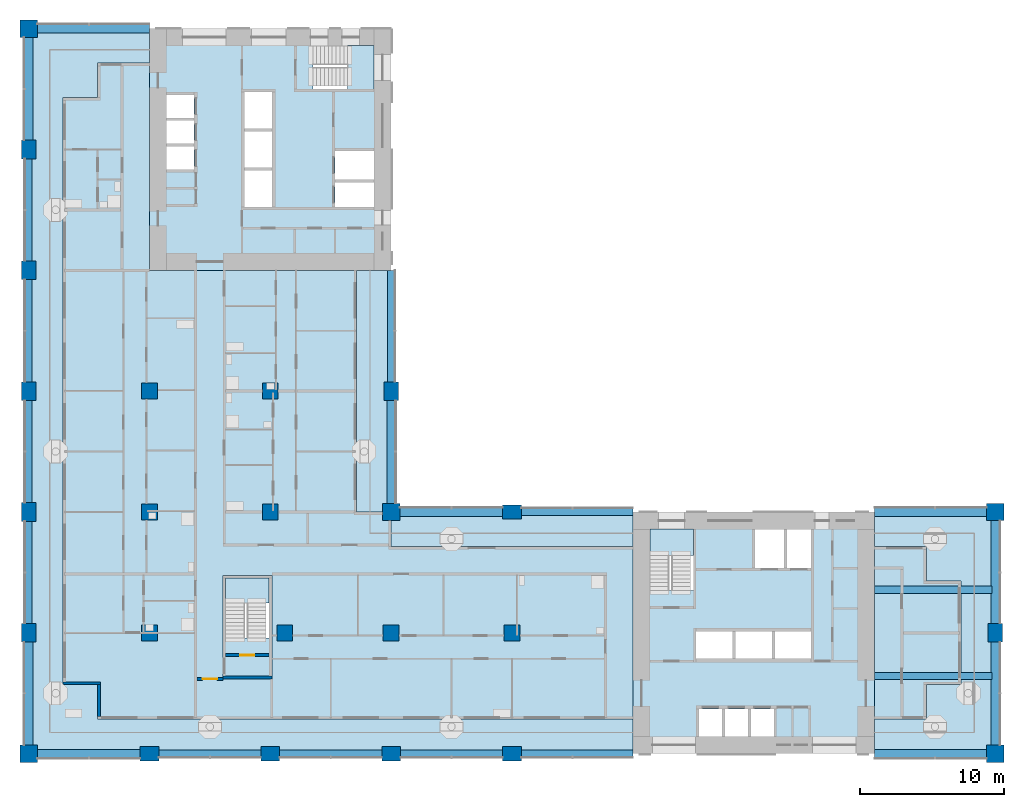
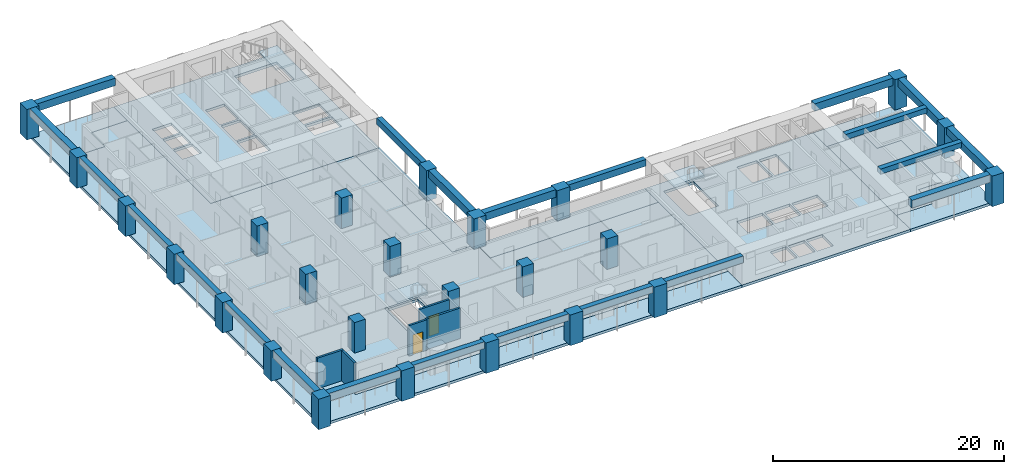
# One storey, part 1 of 18: 25 columns, 22 beams, 12 slabs, 5 walls, 2 doors, 2 openings, 3 elements without a shape of their own.
"""IFC4 building model written with IfcOpenShell, lengths in metres."""

from ifc_helpers import new_model, si_unit, direction, frame, frame_2d, origin, origin_2d, place, context, subcontext, project, spatial, polyline, rectangle, outline, extrude, material, layer, layer_set, material_profile, profile_set, type_object, element, fill, aggregate, save


model = new_model("IFC4")

# Units and contexts
model_context = context("Model", 3, precision=1e-05, world=origin(), true_north=direction((0.0, 1.0)))
body_context = subcontext(model_context, "Body", "Model", "MODEL_VIEW")
ifc_project = project(units=[si_unit("LENGTHUNIT", "METRE"), si_unit("AREAUNIT", "SQUARE_METRE"), si_unit("VOLUMEUNIT", "CUBIC_METRE"), si_unit("PLANEANGLEUNIT", "RADIAN"), si_unit("MASSUNIT", "GRAM", prefix="KILO")], contexts=[model_context])

# Site, building, storey
site_placement = place(None, origin())
site = spatial("IfcSite", under=ifc_project, at=site_placement, CompositionType="ELEMENT")
building_placement = place(site_placement, origin())
building = spatial("IfcBuilding", under=site, at=building_placement, Name="Vermilion Gate Residences", CompositionType="ELEMENT")
storey_placement = place(building_placement, frame((0.0, 0.0, 84.699951171875)))
storey = spatial("IfcBuildingStorey", under=building, at=storey_placement, Name="L20", CompositionType="ELEMENT", Elevation=84.699951171875)

# Columns
ifc_material_1 = material(Name="Concrete C70", Category="concrete")
ifc_material_profile_1 = material_profile(ifc_material_1, rectangle(XDim=1.10009765625, YDim=1.10009765625, at=origin_2d()), Name="RC-1100x1100")
ifc_profile_set_1 = profile_set([ifc_material_profile_1], Name="Concrete C70")
column_type_1 = type_object("IfcColumnType", Name="RC COLUMN 1100 X 1100 C70", PredefinedType="COLUMN", material=ifc_profile_set_1)
for number, where, z_axis, x_axis, name in (
    (1, (8.39990234375, 16.800048828125, 0.0), (0.0, 0.0, 1.0), (1.0, 0.0, 0.0), "Column 2-C L20"),
    (2, (8.39990234375, 25.199951171875, 0.0), (0.0, 0.0, 1.0), (1.0, 0.0, 0.0), "Column 2-D L20"),
    (3, (8.39990234375, 33.60009765625, 0.0), (0.0, 0.0, 1.0), (1.0, 0.0, 0.0), "Column 2-E L20"),
    (4, (17.800048828125, 16.800048828125, 0.0), (0.0, 0.0, 1.0), (1.0, 0.0, 0.0), "Column 3-C L20"),
    (5, (16.800048828125, 25.199951171875, 0.0), (0.0, 0.0, 1.0), (1.0, 0.0, 0.0), "Column 3-D L20"),
    (6, (16.800048828125, 33.60009765625, 0.0), (0.0, 0.0, 1.0), (1.0, 0.0, 0.0), "Column 3-E L20"),
    (7, (25.199951171875, 16.800048828125, 0.0), (0.0, 0.0, 1.0), (1.0, 0.0, 0.0), "Column 4-C L20"),
    (8, (33.60009765625, 16.800048828125, 0.0), (0.0, 0.0, 1.0), (1.0, 0.0, 0.0), "Column 5-C L20"),
):
    element("IfcColumn", number, at=place(storey_placement, frame(where, z_axis=z_axis, x_axis=x_axis)), inside=storey, type_object=column_type_1, Name=name, PredefinedType="COLUMN", context=body_context, shape_type="SweptSolid", body=[
        extrude(rectangle(XDim=1.10009765625, YDim=1.10009765625, at=origin_2d()), origin(), (0.0, 0.0, 1.0), 3.219970703125),
    ])
ifc_material_2 = material(Name="Concrete C70", Category="concrete")
ifc_material_profile_2 = material_profile(ifc_material_2, rectangle(XDim=1.199951171875, YDim=1.199951171875, at=origin_2d()), Name="RC-1200x1200")
ifc_profile_set_2 = profile_set([ifc_material_profile_2], Name="Concrete C70")
column_type_2 = type_object("IfcColumnType", Name="RC COLUMN 1200 X 1200 C70", PredefinedType="COLUMN", material=ifc_profile_set_2)
for number, where, z_axis, x_axis, name in (
    (9, (0.0, 8.39990234375, 0.0), (0.0, 0.0, 1.0), (1.0, 0.0, 0.0), "Column 1-B L20"),
    (10, (0.0, 58.800048828125, 0.0), (0.0, 0.0, 1.0), (1.0, 0.0, 0.0), "Column 1-H L20"),
    (11, (25.199951171875, 25.199951171875, 0.0), (0.0, 0.0, 1.0), (1.0, 0.0, 0.0), "Column 4-D L20"),
    (12, (67.199951171875, 8.39990234375, 0.0), (0.0, 0.0, 1.0), (1.0, 0.0, 0.0), "Column 9-B L20"),
    (13, (67.199951171875, 25.199951171875, 0.0), (0.0, 0.0, 1.0), (1.0, 0.0, 0.0), "Column 9-D L20"),
):
    element("IfcColumn", number, at=place(storey_placement, frame(where, z_axis=z_axis, x_axis=x_axis)), inside=storey, type_object=column_type_2, Name=name, PredefinedType="COLUMN", context=body_context, shape_type="SweptSolid", body=[
        extrude(rectangle(XDim=1.199951171875, YDim=1.199951171875, at=origin_2d()), origin(), (0.0, 0.0, 1.0), 3.219970703125),
    ])
ifc_material_3 = material(Name="Concrete C70", Category="concrete")
ifc_material_profile_3 = material_profile(ifc_material_3, rectangle(XDim=1.300048828125, YDim=1.0, at=origin_2d()), Name="RC-1300x1000")
ifc_profile_set_3 = profile_set([ifc_material_profile_3], Name="Concrete C70")
column_type_3 = type_object("IfcColumnType", Name="RC COLUMN 1300 X 1000 C70", PredefinedType="COLUMN", material=ifc_profile_set_3)
for number, where, z_axis, x_axis, name in (
    (14, (0.0, 16.800048828125, 0.0), (0.0, 0.0, 1.0), (0.0, 1.0, 0.0), "Column 1-C L20"),
    (15, (0.0, 25.199951171875, 0.0), (0.0, 0.0, 1.0), (0.0, 1.0, 0.0), "Column 1-D L20"),
    (16, (0.0, 33.60009765625, 0.0), (0.0, 0.0, 1.0), (0.0, 1.0, 0.0), "Column 1-E L20"),
    (17, (0.0, 42.0, 0.0), (0.0, 0.0, 1.0), (0.0, 1.0, 0.0), "Column 1-F L20"),
    (18, (0.0, 50.39990234375, 0.0), (0.0, 0.0, 1.0), (0.0, 1.0, 0.0), "Column 1-G L20"),
    (19, (8.39990234375, 8.39990234375, 0.0), (0.0, 0.0, 1.0), (1.0, 0.0, 0.0), "Column 2-B L20"),
    (20, (16.800048828125, 8.39990234375, 0.0), (0.0, 0.0, 1.0), (1.0, 0.0, 0.0), "Column 3-B L20"),
    (21, (25.199951171875, 8.39990234375, 0.0), (0.0, 0.0, 1.0), (1.0, 0.0, 0.0), "Column 4-B L20"),
    (22, (25.199951171875, 33.60009765625, 0.0), (0.0, 0.0, 1.0), (0.0, 1.0, 0.0), "Column 4-E L20"),
    (23, (33.60009765625, 8.39990234375, 0.0), (0.0, 0.0, 1.0), (1.0, 0.0, 0.0), "Column 5-B L20"),
    (24, (33.60009765625, 25.199951171875, 0.0), (0.0, 0.0, 1.0), (1.0, 0.0, 0.0), "Column 5-D L20"),
    (25, (67.199951171875, 16.800048828125, 0.0), (0.0, 0.0, 1.0), (0.0, 1.0, 0.0), "Column 9-C L20"),
):
    element("IfcColumn", number, at=place(storey_placement, frame(where, z_axis=z_axis, x_axis=x_axis)), inside=storey, type_object=column_type_3, Name=name, PredefinedType="COLUMN", context=body_context, shape_type="SweptSolid", body=[
        extrude(rectangle(XDim=1.300048828125, YDim=1.0, at=origin_2d()), origin(), (0.0, 0.0, 1.0), 3.219970703125),
    ])

# Beams
ifc_material_4 = material(Name="Concrete C60 red-oxide pigmented", Category="concrete")
ifc_material_profile_4 = material_profile(ifc_material_4, rectangle(XDim=0.60009765625, YDim=0.800048828125, at=origin_2d()), Name="RC-600x800")
ifc_profile_set_4 = profile_set([ifc_material_profile_4], Name="Concrete C60 red-oxide pigmented")
beam_type_1 = type_object("IfcBeamType", Name="RC CORNER EDGE BEAM 600 X 800 C60", PredefinedType="BEAM", material=ifc_profile_set_4)
for number, where, z_axis, x_axis, name in (
    (26, (0.60009765625, 8.39990234375, 2.820068359375), (1.0, 0.0, 0.0), (0.0, 1.0, 0.0), "Corner edge beam L20 1"),
    (27, (0.0, 9.0, 2.820068359375), (0.0, 1.0, 0.0), (-1.0, 0.0, 0.0), "Corner edge beam L20 2"),
):
    element("IfcBeam", number, at=place(storey_placement, frame(where, z_axis=z_axis, x_axis=x_axis)), inside=storey, type_object=beam_type_1, Name=name, PredefinedType="BEAM", context=body_context, shape_type="SweptSolid", body=[
        extrude(rectangle(XDim=0.60009765625, YDim=0.800048828125, at=origin_2d()), origin(), (0.0, 0.0, 1.0), 7.14990234375),
    ])
beam_1_placement = place(storey_placement, frame((0.60009765625, 58.800048828125, 2.820068359375), z_axis=(1.0, 0.0, 0.0), x_axis=(0.0, 1.0, 0.0)))
element("IfcBeam", 28, at=beam_1_placement, inside=storey, type_object=beam_type_1, Name="Corner edge beam L20 7", PredefinedType="BEAM", context=body_context, shape_type="SweptSolid", body=[
    extrude(rectangle(XDim=0.60009765625, YDim=0.800048828125, at=origin_2d()), origin(), (0.0, 0.0, 1.0), 7.7998046875),
])
for number, where, z_axis, x_axis, name in (
    (29, (0.0, 51.050048828125, 2.820068359375), (0.0, 1.0, 0.0), (-1.0, 0.0, 0.0), "Corner edge beam L20 8"),
    (30, (25.199951171875, 25.800048828125, 2.820068359375), (0.0, 1.0, 0.0), (-1.0, 0.0, 0.0), "Corner edge beam L20 11"),
    (31, (25.800048828125, 25.199951171875, 2.820068359375), (1.0, 0.0, 0.0), (0.0, 1.0, 0.0), "Corner edge beam L20 14"),
):
    element("IfcBeam", number, at=place(storey_placement, frame(where, z_axis=z_axis, x_axis=x_axis)), inside=storey, type_object=beam_type_1, Name=name, PredefinedType="BEAM", context=body_context, shape_type="SweptSolid", body=[
        extrude(rectangle(XDim=0.60009765625, YDim=0.800048828125, at=origin_2d()), origin(), (0.0, 0.0, 1.0), 7.14990234375),
    ])
beam_2_placement = place(storey_placement, frame((58.800048828125, 8.39990234375, 2.820068359375), z_axis=(1.0, 0.0, 0.0), x_axis=(0.0, 1.0, 0.0)))
element("IfcBeam", 32, at=beam_2_placement, inside=storey, type_object=beam_type_1, Name="Corner edge beam L20 17", PredefinedType="BEAM", context=body_context, shape_type="SweptSolid", body=[
    extrude(rectangle(XDim=0.60009765625, YDim=0.800048828125, at=origin_2d()), origin(), (0.0, 0.0, 1.0), 7.800048828125),
])
beam_3_placement = place(storey_placement, frame((67.199951171875, 9.0, 2.820068359375), z_axis=(0.0, 1.0, 0.0), x_axis=(-1.0, 0.0, 0.0)))
element("IfcBeam", 33, at=beam_3_placement, inside=storey, type_object=beam_type_1, Name="Corner edge beam L20 18", PredefinedType="BEAM", context=body_context, shape_type="SweptSolid", body=[
    extrude(rectangle(XDim=0.60009765625, YDim=0.800048828125, at=origin_2d()), origin(), (0.0, 0.0, 1.0), 7.14990234375),
])
beam_4_placement = place(storey_placement, frame((67.199951171875, 17.449951171875, 2.820068359375), z_axis=(0.0, 1.0, 0.0), x_axis=(-1.0, 0.0, 0.0)))
element("IfcBeam", 34, at=beam_4_placement, inside=storey, type_object=beam_type_1, Name="Corner edge beam L20 19", PredefinedType="BEAM", context=body_context, shape_type="SweptSolid", body=[
    extrude(rectangle(XDim=0.60009765625, YDim=0.800048828125, at=origin_2d()), origin(), (0.0, 0.0, 1.0), 7.150146484375),
])
beam_5_placement = place(storey_placement, frame((58.800048828125, 25.199951171875, 2.820068359375), z_axis=(1.0, 0.0, 0.0), x_axis=(0.0, 1.0, 0.0)))
element("IfcBeam", 35, at=beam_5_placement, inside=storey, type_object=beam_type_1, Name="Corner edge beam L20 20", PredefinedType="BEAM", context=body_context, shape_type="SweptSolid", body=[
    extrude(rectangle(XDim=0.60009765625, YDim=0.800048828125, at=origin_2d()), origin(), (0.0, 0.0, 1.0), 7.800048828125),
])
ifc_material_5 = material(Name="Concrete C60 red-oxide pigmented", Category="concrete")
ifc_material_profile_5 = material_profile(ifc_material_5, rectangle(XDim=0.5, YDim=0.699951171875, at=origin_2d()), Name="RC-500x700")
ifc_profile_set_5 = profile_set([ifc_material_profile_5], Name="Concrete C60 red-oxide pigmented")
beam_type_2 = type_object("IfcBeamType", Name="RC EDGE BEAM 500 X 700 C60", PredefinedType="BEAM", material=ifc_profile_set_5)
beam_6_placement = place(storey_placement, frame((0.0, 17.449951171875, 2.8701171875), z_axis=(0.0, 1.0, 0.0), x_axis=(-1.0, 0.0, 0.0)))
element("IfcBeam", 36, at=beam_6_placement, inside=storey, type_object=beam_type_2, Name="Edge beam L20 3", PredefinedType="BEAM", context=body_context, shape_type="SweptSolid", body=[
    extrude(rectangle(XDim=0.5, YDim=0.699951171875, at=origin_2d()), origin(), (0.0, 0.0, 1.0), 7.10009765625),
])
beam_7_placement = place(storey_placement, frame((0.0, 25.85009765625, 2.8701171875), z_axis=(0.0, 1.0, 0.0), x_axis=(-1.0, 0.0, 0.0)))
element("IfcBeam", 37, at=beam_7_placement, inside=storey, type_object=beam_type_2, Name="Edge beam L20 4", PredefinedType="BEAM", context=body_context, shape_type="SweptSolid", body=[
    extrude(rectangle(XDim=0.5, YDim=0.699951171875, at=origin_2d()), origin(), (0.0, 0.0, 1.0), 7.099853515625),
])
for number, where, z_axis, x_axis, name in (
    (38, (0.0, 34.25, 2.8701171875), (0.0, 1.0, 0.0), (-1.0, 0.0, 0.0), "Edge beam L20 5"),
    (39, (0.0, 42.64990234375, 2.8701171875), (0.0, 1.0, 0.0), (-1.0, 0.0, 0.0), "Edge beam L20 6"),
):
    element("IfcBeam", number, at=place(storey_placement, frame(where, z_axis=z_axis, x_axis=x_axis)), inside=storey, type_object=beam_type_2, Name=name, PredefinedType="BEAM", context=body_context, shape_type="SweptSolid", body=[
        extrude(rectangle(XDim=0.5, YDim=0.699951171875, at=origin_2d()), origin(), (0.0, 0.0, 1.0), 7.10009765625),
    ])
beam_8_placement = place(storey_placement, frame((9.050048828125, 8.39990234375, 2.8701171875), z_axis=(1.0, 0.0, 0.0), x_axis=(0.0, 1.0, 0.0)))
element("IfcBeam", 40, at=beam_8_placement, inside=storey, type_object=beam_type_2, Name="Edge beam L20 9", PredefinedType="BEAM", context=body_context, shape_type="SweptSolid", body=[
    extrude(rectangle(XDim=0.5, YDim=0.699951171875, at=origin_2d()), origin(), (0.0, 0.0, 1.0), 7.099853515625),
])
beam_9_placement = place(storey_placement, frame((17.449951171875, 8.39990234375, 2.8701171875), z_axis=(1.0, 0.0, 0.0), x_axis=(0.0, 1.0, 0.0)))
element("IfcBeam", 41, at=beam_9_placement, inside=storey, type_object=beam_type_2, Name="Edge beam L20 10", PredefinedType="BEAM", context=body_context, shape_type="SweptSolid", body=[
    extrude(rectangle(XDim=0.5, YDim=0.699951171875, at=origin_2d()), origin(), (0.0, 0.0, 1.0), 7.10009765625),
])
beam_10_placement = place(storey_placement, frame((25.199951171875, 34.25, 2.8701171875), z_axis=(0.0, 1.0, 0.0), x_axis=(-1.0, 0.0, 0.0)))
element("IfcBeam", 42, at=beam_10_placement, inside=storey, type_object=beam_type_2, Name="Edge beam L20 12", PredefinedType="BEAM", context=body_context, shape_type="SweptSolid", body=[
    extrude(rectangle(XDim=0.5, YDim=0.699951171875, at=origin_2d()), origin(), (0.0, 0.0, 1.0), 7.75),
])
beam_11_placement = place(storey_placement, frame((25.85009765625, 8.39990234375, 2.8701171875), z_axis=(1.0, 0.0, 0.0), x_axis=(0.0, 1.0, 0.0)))
element("IfcBeam", 43, at=beam_11_placement, inside=storey, type_object=beam_type_2, Name="Edge beam L20 13", PredefinedType="BEAM", context=body_context, shape_type="SweptSolid", body=[
    extrude(rectangle(XDim=0.5, YDim=0.699951171875, at=origin_2d()), origin(), (0.0, 0.0, 1.0), 7.099853515625),
])
for number, where, z_axis, x_axis, name in (
    (44, (34.25, 8.39990234375, 2.8701171875), (1.0, 0.0, 0.0), (0.0, 1.0, 0.0), "Edge beam L20 15"),
    (45, (34.25, 25.199951171875, 2.8701171875), (1.0, 0.0, 0.0), (0.0, 1.0, 0.0), "Edge beam L20 16"),
):
    element("IfcBeam", number, at=place(storey_placement, frame(where, z_axis=z_axis, x_axis=x_axis)), inside=storey, type_object=beam_type_2, Name=name, PredefinedType="BEAM", context=body_context, shape_type="SweptSolid", body=[
        extrude(rectangle(XDim=0.5, YDim=0.699951171875, at=origin_2d()), origin(), (0.0, 0.0, 1.0), 7.75),
    ])
ifc_material_6 = material(Name="Concrete C60", Category="concrete")
ifc_material_profile_6 = material_profile(ifc_material_6, rectangle(XDim=0.5, YDim=0.550048828125, at=origin_2d()), Name="RC-500x550")
ifc_profile_set_6 = profile_set([ifc_material_profile_6], Name="Concrete C60")
beam_type_3 = type_object("IfcBeamType", Name="RC WING BEAM 500 X 550 C60", PredefinedType="BEAM", material=ifc_profile_set_6)
for number, where, z_axis, x_axis, name in (
    (46, (58.800048828125, 13.800048828125, 2.945068359375), (1.0, 0.0, 0.0), (0.0, 1.0, 0.0), "Wing-end beam L20 1"),
    (47, (58.800048828125, 19.800048828125, 2.945068359375), (1.0, 0.0, 0.0), (0.0, 1.0, 0.0), "Wing-end beam L20 2"),
):
    element("IfcBeam", number, at=place(storey_placement, frame(where, z_axis=z_axis, x_axis=x_axis)), inside=storey, type_object=beam_type_3, Name=name, PredefinedType="BEAM", context=body_context, shape_type="SweptSolid", body=[
        extrude(rectangle(XDim=0.5, YDim=0.550048828125, at=origin_2d()), origin(), (0.0, 0.0, 1.0), 8.14990234375),
    ])

# Slabs
ifc_material_7 = material(Name="Concrete C50", Category="concrete")
ifc_layer_1 = layer(ifc_material_7, 0.280029296875)
ifc_layer_set_1 = layer_set([ifc_layer_1], Name="RC CORE FLOOR SLAB 280 C50")
slab_type_1 = type_object("IfcSlabType", Name="RC CORE FLOOR SLAB 280 C50", PredefinedType="FLOOR", material=ifc_layer_set_1)
slab_1_placement = place(storey_placement, frame((0.0, 0.0, -0.280029296875)))
element("IfcSlab", 48, at=slab_1_placement, inside=storey, type_object=slab_type_1, Name="Core floor slab A20", PredefinedType="FLOOR", context=body_context, shape_type="SweptSolid", body=[
    extrude(outline(polyline([(42.0, 8.39990234375), (58.800048828125, 8.39990234375), (58.800048828125, 25.199951171875), (42.0, 25.199951171875), (42.0, 8.39990234375)]), holes=[polyline([(46.60009765625, 11.5), (48.199951171875, 11.5), (48.199951171875, 9.60009765625), (46.60009765625, 9.60009765625), (46.60009765625, 11.5)]), polyline([(48.39990234375, 11.5), (50.0, 11.5), (50.0, 9.60009765625), (48.39990234375, 9.60009765625), (48.39990234375, 11.5)]), polyline([(50.199951171875, 11.5), (51.800048828125, 11.5), (51.800048828125, 9.60009765625), (50.199951171875, 9.60009765625), (50.199951171875, 11.5)]), polyline([(46.39990234375, 16.89990234375), (48.933349609375, 16.89990234375), (48.933349609375, 15.0), (46.39990234375, 15.0), (46.39990234375, 16.89990234375)]), polyline([(49.13330078125, 16.89990234375), (51.666748046875, 16.89990234375), (51.666748046875, 15.0), (49.13330078125, 15.0), (49.13330078125, 16.89990234375)]), polyline([(51.86669921875, 16.89990234375), (54.39990234375, 16.89990234375), (54.39990234375, 15.0), (51.86669921875, 15.0), (51.86669921875, 16.89990234375)]), polyline([(43.199951171875, 24.0), (46.199951171875, 24.0), (46.199951171875, 19.75), (43.199951171875, 19.75), (43.199951171875, 24.0)]), polyline([(52.5, 24.0), (52.5, 21.300048828125), (50.5, 21.300048828125), (50.5, 24.0), (52.5, 24.0)]), polyline([(54.39990234375, 24.0), (54.39990234375, 21.300048828125), (52.699951171875, 21.300048828125), (52.699951171875, 24.0), (54.39990234375, 24.0)])]), origin(), (0.0, 0.0, 1.0), 0.280029296875),
])
slab_2_placement = place(storey_placement, frame((0.0, 0.0, -0.280029296875)))
element("IfcSlab", 49, at=slab_2_placement, inside=storey, type_object=slab_type_1, Name="Core floor slab B20", PredefinedType="FLOOR", context=body_context, shape_type="SweptSolid", body=[
    extrude(outline(polyline([(8.39990234375, 42.0), (25.199951171875, 42.0), (25.199951171875, 58.800048828125), (8.39990234375, 58.800048828125), (8.39990234375, 42.0)]), holes=[polyline([(21.300048828125, 48.10009765625), (24.0, 48.10009765625), (24.0, 46.39990234375), (21.300048828125, 46.39990234375), (21.300048828125, 48.10009765625)]), polyline([(15.0, 48.933349609375), (16.89990234375, 48.933349609375), (16.89990234375, 46.39990234375), (15.0, 46.39990234375), (15.0, 48.933349609375)]), polyline([(21.300048828125, 50.300048828125), (24.0, 50.300048828125), (24.0, 48.300048828125), (21.300048828125, 48.300048828125), (21.300048828125, 50.300048828125)]), polyline([(9.60009765625, 50.60009765625), (11.5, 50.60009765625), (11.5, 49.0), (9.60009765625, 49.0), (9.60009765625, 50.60009765625)]), polyline([(15.0, 51.666748046875), (16.89990234375, 51.666748046875), (16.89990234375, 49.13330078125), (15.0, 49.13330078125), (15.0, 51.666748046875)]), polyline([(9.60009765625, 52.39990234375), (11.5, 52.39990234375), (11.5, 50.800048828125), (9.60009765625, 50.800048828125), (9.60009765625, 52.39990234375)]), polyline([(15.0, 54.39990234375), (16.89990234375, 54.39990234375), (16.89990234375, 51.86669921875), (15.0, 51.86669921875), (15.0, 54.39990234375)]), polyline([(11.5, 54.199951171875), (11.5, 52.60009765625), (9.60009765625, 52.60009765625), (9.60009765625, 54.199951171875), (11.5, 54.199951171875)]), polyline([(24.0, 57.60009765625), (24.0, 54.60009765625), (19.75, 54.60009765625), (19.75, 57.60009765625), (24.0, 57.60009765625)])]), origin(), (0.0, 0.0, 1.0), 0.280029296875),
])
slab_3_placement = place(storey_placement, frame((0.0, 0.0, -0.280029296875)))
element("IfcSlab", 50, at=slab_3_placement, inside=storey, type_object=slab_type_1, Name="Apex stair floor slab 20", PredefinedType="FLOOR", context=body_context, shape_type="SweptSolid", body=[
    extrude(outline(polyline([(13.5, 13.60009765625), (16.89990234375, 13.60009765625), (16.89990234375, 20.800048828125), (13.5, 20.800048828125), (13.5, 13.60009765625)]), holes=[polyline([(16.699951171875, 20.60009765625), (16.699951171875, 16.449951171875), (13.699951171875, 16.449951171875), (13.699951171875, 20.60009765625), (16.699951171875, 20.60009765625)])]), origin(), (0.0, 0.0, 1.0), 0.280029296875),
])
ifc_material_8 = material(Name="Concrete C50", Category="concrete")
ifc_layer_2 = layer(ifc_material_8, 0.280029296875)
ifc_layer_set_2 = layer_set([ifc_layer_2], Name="RC FLAT PLATE 280 C50")
slab_type_2 = type_object("IfcSlabType", Name="RC FLAT PLATE 280 C50", PredefinedType="FLOOR", material=ifc_layer_set_2)
slab_4_placement = place(storey_placement, frame((0.0, 0.0, -0.280029296875)))
element("IfcSlab", 51, at=slab_4_placement, inside=storey, type_object=slab_type_2, Name="Floor slab L20", PredefinedType="FLOOR", context=body_context, shape_type="SweptSolid", body=[
    extrude(outline(polyline([(22.800048828125, 25.199951171875), (22.800048828125, 42.0), (8.39990234375, 42.0), (8.39990234375, 56.39990234375), (4.800048828125, 56.39990234375), (4.800048828125, 54.0), (2.39990234375, 54.0), (2.39990234375, 13.199951171875), (4.800048828125, 13.199951171875), (4.800048828125, 10.800048828125), (42.0, 10.800048828125), (42.0, 22.800048828125), (25.199951171875, 22.800048828125), (25.199951171875, 25.199951171875), (22.800048828125, 25.199951171875)]), holes=[polyline([(13.5, 13.60009765625), (13.5, 20.800048828125), (16.89990234375, 20.800048828125), (16.89990234375, 13.60009765625), (13.5, 13.60009765625)])]), origin(), (0.0, 0.0, 1.0), 0.280029296875),
])
slab_5_placement = place(storey_placement, frame((0.0, 0.0, -0.280029296875)))
element("IfcSlab", 52, at=slab_5_placement, inside=storey, type_object=slab_type_2, Name="Floor slab L20", PredefinedType="FLOOR", context=body_context, shape_type="SweptSolid", body=[
    extrude(outline(polyline([(58.800048828125, 22.800048828125), (58.800048828125, 10.800048828125), (62.39990234375, 10.800048828125), (62.39990234375, 13.199951171875), (64.800048828125, 13.199951171875), (64.800048828125, 20.39990234375), (62.39990234375, 20.39990234375), (62.39990234375, 22.800048828125), (58.800048828125, 22.800048828125)])), origin(), (0.0, 0.0, 1.0), 0.280029296875),
])
ifc_material_9 = material(Name="Concrete C50 red-oxide pigmented", Category="concrete")
ifc_layer_3 = layer(ifc_material_9, 0.280029296875)
ifc_layer_set_3 = layer_set([ifc_layer_3], Name="RC LOGGIA SLAB 280 C50")
slab_type_3 = type_object("IfcSlabType", Name="RC LOGGIA SLAB 280 C50", PredefinedType="FLOOR", material=ifc_layer_set_3)
slab_6_placement = place(storey_placement, frame((0.0, 0.0, -0.280029296875)))
element("IfcSlab", 53, at=slab_6_placement, inside=storey, type_object=slab_type_3, Name="Loggia slab L20", PredefinedType="FLOOR", context=body_context, shape_type="SweptSolid", body=[
    extrude(outline(polyline([(0.0, 58.800048828125), (0.0, 8.39990234375), (42.0, 8.39990234375), (42.0, 10.800048828125), (4.800048828125, 10.800048828125), (4.800048828125, 13.199951171875), (2.39990234375, 13.199951171875), (2.39990234375, 54.0), (4.800048828125, 54.0), (4.800048828125, 56.39990234375), (8.39990234375, 56.39990234375), (8.39990234375, 58.800048828125), (0.0, 58.800048828125)])), origin(), (0.0, 0.0, 1.0), 0.280029296875),
])
slab_7_placement = place(storey_placement, frame((0.0, 0.0, -0.280029296875)))
element("IfcSlab", 54, at=slab_7_placement, inside=storey, type_object=slab_type_3, Name="Loggia slab L20", PredefinedType="FLOOR", context=body_context, shape_type="SweptSolid", body=[
    extrude(outline(polyline([(64.800048828125, 20.39990234375), (64.800048828125, 13.199951171875), (62.39990234375, 13.199951171875), (62.39990234375, 10.800048828125), (58.800048828125, 10.800048828125), (58.800048828125, 8.39990234375), (67.199951171875, 8.39990234375), (67.199951171875, 25.199951171875), (58.800048828125, 25.199951171875), (58.800048828125, 22.800048828125), (62.39990234375, 22.800048828125), (62.39990234375, 20.39990234375), (64.800048828125, 20.39990234375)])), origin(), (0.0, 0.0, 1.0), 0.280029296875),
])
slab_8_placement = place(storey_placement, frame((0.0, 0.0, -0.280029296875)))
element("IfcSlab", 55, at=slab_8_placement, inside=storey, type_object=slab_type_3, Name="Loggia slab L20", PredefinedType="FLOOR", context=body_context, shape_type="SweptSolid", body=[
    extrude(outline(polyline([(25.199951171875, 22.800048828125), (42.0, 22.800048828125), (42.0, 25.199951171875), (25.199951171875, 25.199951171875), (25.199951171875, 22.800048828125)])), origin(), (0.0, 0.0, 1.0), 0.280029296875),
])
slab_9_placement = place(storey_placement, frame((0.0, 0.0, -0.280029296875)))
element("IfcSlab", 56, at=slab_9_placement, inside=storey, type_object=slab_type_3, Name="Loggia slab L20", PredefinedType="FLOOR", context=body_context, shape_type="SweptSolid", body=[
    extrude(outline(polyline([(25.199951171875, 25.199951171875), (25.199951171875, 42.0), (22.800048828125, 42.0), (22.800048828125, 25.199951171875), (25.199951171875, 25.199951171875)])), origin(), (0.0, 0.0, 1.0), 0.280029296875),
])

# Stair, slab
ifc_material_10 = material(Name="Concrete C50", Category="concrete")
stair_type = type_object("IfcStairType", Name="SPECIAL ESCAPE STAIR 1300", PredefinedType="HALF_TURN_STAIR", material=ifc_material_10)
stair_1_placement = place(storey_placement, origin())
stair_1 = element("IfcStair", 57, at=stair_1_placement, inside=storey, type_object=stair_type, Name="Special escape stair STA1-20", PredefinedType="HALF_TURN_STAIR")
ifc_material_11 = material(Name="Concrete C50", Category="concrete")
ifc_layer_4 = layer(ifc_material_11, 0.199951171875)
ifc_layer_set_4 = layer_set([ifc_layer_4], Name="STAIR LANDING 200 C50")
slab_type_4 = type_object("IfcSlabType", Name="STAIR LANDING 200 C50", PredefinedType="LANDING", material=ifc_layer_set_4)
slab_10_placement = place(storey_placement, frame((0.0, 0.0, 1.550048828125)))
slab_10 = element("IfcSlab", 58, at=slab_10_placement, type_object=slab_type_4, Name="STA1-20 landing 1", PredefinedType="LANDING", context=body_context, shape_type="SweptSolid", body=[
    extrude(outline(polyline([(46.219970703125, 22.179931640625), (46.219970703125, 24.02001953125), (43.179931640625, 24.02001953125), (43.179931640625, 22.179931640625), (46.219970703125, 22.179931640625)])), origin(), (0.0, 0.0, 1.0), 0.199951171875),
])
aggregate(stair_1, [slab_10])

stair_2_placement = place(storey_placement, origin())
stair_2 = element("IfcStair", 59, at=stair_2_placement, inside=storey, type_object=stair_type, Name="Special escape stair STB1-20", PredefinedType="HALF_TURN_STAIR")
slab_11_placement = place(storey_placement, frame((0.0, 0.0, 1.550048828125)))
slab_11 = element("IfcSlab", 60, at=slab_11_placement, type_object=slab_type_4, Name="STB1-20 landing 1", PredefinedType="LANDING", context=body_context, shape_type="SweptSolid", body=[
    extrude(outline(polyline([(24.02001953125, 54.580078125), (24.02001953125, 57.6201171875), (22.179931640625, 57.6201171875), (22.179931640625, 54.580078125), (24.02001953125, 54.580078125)])), origin(), (0.0, 0.0, 1.0), 0.199951171875),
])
aggregate(stair_2, [slab_11])

stair_3_placement = place(storey_placement, origin())
stair_3 = element("IfcStair", 61, at=stair_3_placement, inside=storey, type_object=stair_type, Name="Special escape stair STC1-20", PredefinedType="HALF_TURN_STAIR")
slab_12_placement = place(storey_placement, frame((0.0, 0.0, 1.550048828125)))
slab_12 = element("IfcSlab", 62, at=slab_12_placement, type_object=slab_type_4, Name="STC1-20 landing 1", PredefinedType="LANDING", context=body_context, shape_type="SweptSolid", body=[
    extrude(outline(polyline([(16.719970703125, 18.8798828125), (16.719970703125, 20.6201171875), (13.679931640625, 20.6201171875), (13.679931640625, 18.8798828125), (16.719970703125, 18.8798828125)])), origin(), (0.0, 0.0, 1.0), 0.199951171875),
])
aggregate(stair_3, [slab_12])

# Walls
ifc_material_12 = material(Name="Insulated steel stud wall with terracotta rainscreen", Category="masonry")
ifc_layer_5 = layer(ifc_material_12, 0.199951171875)
ifc_layer_set_5 = layer_set([ifc_layer_5], Name="EXTERNAL WALL 200 TERRACOTTA RAINSCREEN")
wall_type_1 = type_object("IfcWallType", Name="EXTERNAL WALL 200 TERRACOTTA RAINSCREEN", PredefinedType="SOLIDWALL", material=ifc_layer_set_5)
wall_1_placement = place(storey_placement, frame((2.39990234375, 13.300048828125, 0.0), z_axis=(0.0, 0.0, 1.0), x_axis=(1.0, 0.0, 0.0)))
element("IfcWall", 63, at=wall_1_placement, inside=storey, type_object=wall_type_1, Name="External wall", PredefinedType="SOLIDWALL", context=body_context, shape_type="SweptSolid", body=[
    extrude(rectangle(XDim=2.60009765625, YDim=0.199951171875, at=frame_2d((1.300048828125, 0.0))), origin(), (0.0, 0.0, 1.0), 3.219970703125),
])
wall_2_placement = place(storey_placement, frame((4.89990234375, 13.199951171875, 0.0), z_axis=(0.0, 0.0, 1.0), x_axis=(0.0, -1.0, 0.0)))
element("IfcWall", 64, at=wall_2_placement, inside=storey, type_object=wall_type_1, Name="External wall", PredefinedType="SOLIDWALL", context=body_context, shape_type="SweptSolid", body=[
    extrude(rectangle(XDim=2.199951171875, YDim=0.199951171875, at=frame_2d((1.10009765625, 0.0))), origin(), (0.0, 0.0, 1.0), 3.219970703125),
])

# Wall, opening, door
ifc_material_13 = material(Name="Fire-rated plasterboard on steel studs", Category="steel")
ifc_layer_6 = layer(ifc_material_13, 0.199951171875)
ifc_layer_set_6 = layer_set([ifc_layer_6], Name="PARTY WALL 200 EI 120")
wall_type_2 = type_object("IfcWallType", Name="PARTY WALL 200 EI 120", PredefinedType="PARTITIONING", material=ifc_layer_set_6)
wall_3_placement = place(storey_placement, frame((11.699951171875, 13.60009765625, 0.0), z_axis=(0.0, 0.0, 1.0), x_axis=(1.0, 0.0, 0.0)))
wall_3 = element("IfcWall", 65, at=wall_3_placement, inside=storey, type_object=wall_type_2, Name="Party and corridor wall", PredefinedType="PARTITIONING", context=body_context, shape_type="SweptSolid", body=[
    extrude(rectangle(XDim=1.800048828125, YDim=0.199951171875, at=frame_2d((0.89990234375, 0.0))), origin(), (0.0, 0.0, 1.0), 3.219970703125),
])
opening_1_placement = place(wall_3_placement, frame((0.39990234375, 0.0, 0.0)))
opening_1 = element("IfcOpeningElement", 66, at=opening_1_placement, cuts=wall_3, Name="Opening DA19001", PredefinedType="OPENING", context=body_context, shape_type="SweptSolid", body=[
    extrude(rectangle(XDim=1.0, YDim=2.10009765625, at=frame_2d((0.5, 1.050048828125))), frame((0.0, 0.10986328125, 0.0), z_axis=(0.0, -1.0, 0.0), x_axis=(1.0, 0.0, 0.0)), (0.0, 0.0, 1.0), 0.219970703125),
])
ifc_material_14 = material(Name="Steel", Category="steel")
door_type_1 = type_object("IfcDoorType", Name="ENTRANCE DOOR 1000 X 2100 FD30", OperationType="SINGLE_SWING_LEFT", PredefinedType="DOOR", material=ifc_material_14)
door_1_placement = place(opening_1_placement, frame((1.0, 0.0, 0.0), z_axis=(0.0, 0.0, 1.0), x_axis=(-1.0, 0.0, 0.0)))
door_1 = element("IfcDoor", 67, at=door_1_placement, inside=storey, type_object=door_type_1, Name="Entrance door", OperationType="SINGLE_SWING_RIGHT", OverallHeight=2.10009765625, OverallWidth=1.0, PredefinedType="DOOR", context=body_context, shape_type="SweptSolid", body=[
    extrude(rectangle(XDim=1.0, YDim=2.10009765625, at=frame_2d((0.5, 1.050048828125))), frame((0.0, 0.02490234375, 0.0), z_axis=(0.0, -1.0, 0.0), x_axis=(1.0, 0.0, 0.0)), (0.0, 0.0, 1.0), 0.050048828125),
])
fill(opening_1, door_1)

# Wall
ifc_material_15 = material(Name="Concrete C60", Category="concrete")
ifc_layer_7 = layer(ifc_material_15, 0.199951171875)
ifc_layer_set_7 = layer_set([ifc_layer_7], Name="RC CORE INTERNAL WALL 200 C60")
wall_type_3 = type_object("IfcWallType", Name="RC CORE INTERNAL WALL 200 C60", PredefinedType="SHEAR", material=ifc_layer_set_7)
wall_4_placement = place(storey_placement, frame((13.5, 13.699951171875, 0.0), z_axis=(0.0, 0.0, 1.0), x_axis=(1.0, 0.0, 0.0)))
element("IfcWall", 68, at=wall_4_placement, inside=storey, type_object=wall_type_3, Name="Core internal wall C20-S", PredefinedType="SHEAR", context=body_context, shape_type="SweptSolid", body=[
    extrude(rectangle(XDim=3.39990234375, YDim=0.199951171875, at=frame_2d((1.699951171875, 0.0))), origin(), (0.0, 0.0, 1.0), 3.219970703125),
])

# Wall, opening, door
wall_5_placement = place(storey_placement, frame((13.699951171875, 15.25, 0.0), z_axis=(0.0, 0.0, 1.0), x_axis=(1.0, 0.0, 0.0)))
wall_5 = element("IfcWall", 69, at=wall_5_placement, inside=storey, type_object=wall_type_3, Name="Core internal wall C20-P", PredefinedType="SHEAR", context=body_context, shape_type="SweptSolid", body=[
    extrude(rectangle(XDim=3.0, YDim=0.199951171875, at=frame_2d((1.5, 0.0))), origin(), (0.0, 0.0, 1.0), 3.219970703125),
])
opening_2_placement = place(wall_5_placement, frame((1.0, 0.0, 0.0)))
opening_2 = element("IfcOpeningElement", 70, at=opening_2_placement, cuts=wall_5, Name="Opening DK20202", PredefinedType="OPENING", context=body_context, shape_type="SweptSolid", body=[
    extrude(rectangle(XDim=1.0, YDim=2.10009765625, at=frame_2d((0.5, 1.050048828125))), frame((0.0, 0.10986328125, 0.0), z_axis=(0.0, -1.0, 0.0), x_axis=(1.0, 0.0, 0.0)), (0.0, 0.0, 1.0), 0.219970703125),
])
ifc_material_16 = material(Name="Steel", Category="steel")
door_type_2 = type_object("IfcDoorType", Name="FIRE DOOR FD60 1000 X 2100", OperationType="SINGLE_SWING_LEFT", PredefinedType="DOOR", material=ifc_material_16)
door_2_placement = place(opening_2_placement, origin())
door_2 = element("IfcDoor", 71, at=door_2_placement, inside=storey, type_object=door_type_2, Name="Stair door C20", OperationType="SINGLE_SWING_LEFT", OverallHeight=2.10009765625, OverallWidth=1.0, PredefinedType="DOOR", context=body_context, shape_type="SweptSolid", body=[
    extrude(rectangle(XDim=1.0, YDim=2.10009765625, at=frame_2d((0.5, 1.050048828125))), frame((0.0, 0.02490234375, 0.0), z_axis=(0.0, -1.0, 0.0), x_axis=(1.0, 0.0, 0.0)), (0.0, 0.0, 1.0), 0.050048828125),
])
fill(opening_2, door_2)

save(model, "model.ifc")
